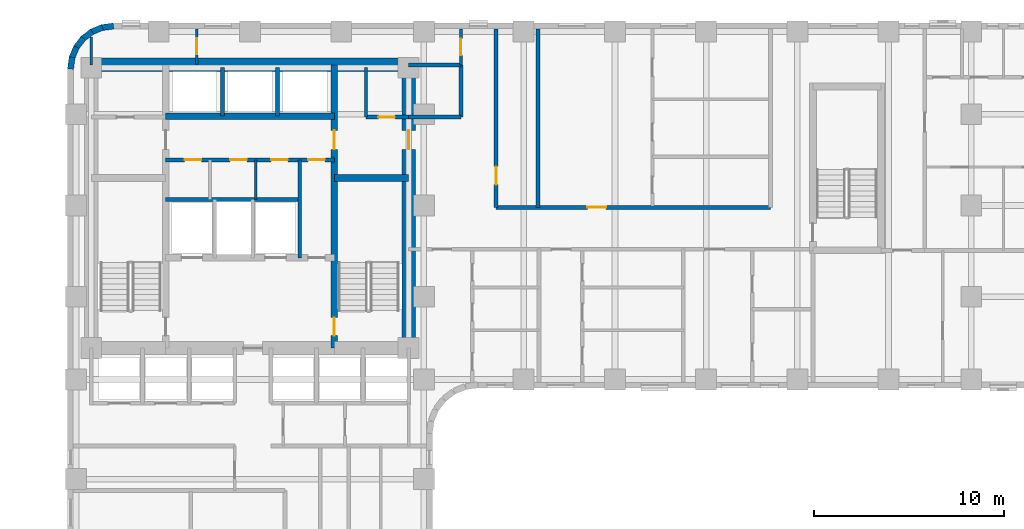
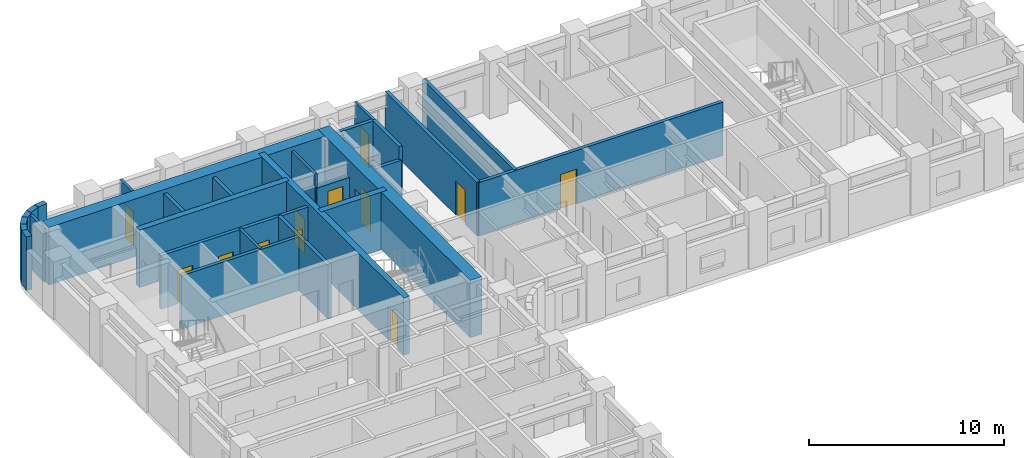
# One storey, part 6 of 11: 28 walls, 12 doors, 12 openings.
"""IFC4 building model written with IfcOpenShell, lengths in metres."""

from ifc_helpers import new_model, si_unit, direction, frame, frame_2d, origin, place, context, subcontext, project, spatial, rectangle, extrude, material, layer, layer_set, type_object, element, fill, save


model = new_model("IFC4")

# Units and contexts
model_context = context("Model", 3, precision=1e-05, world=origin(), true_north=direction((0.0, 1.0)))
body_context = subcontext(model_context, "Body", "Model", "MODEL_VIEW")
ifc_project = project(units=[si_unit("LENGTHUNIT", "METRE"), si_unit("AREAUNIT", "SQUARE_METRE"), si_unit("VOLUMEUNIT", "CUBIC_METRE"), si_unit("PLANEANGLEUNIT", "RADIAN"), si_unit("MASSUNIT", "GRAM", prefix="KILO")], contexts=[model_context])

# Site, building, storey
site_placement = place(None, origin())
site = spatial("IfcSite", under=ifc_project, at=site_placement, CompositionType="ELEMENT")
building_placement = place(site_placement, origin())
building = spatial("IfcBuilding", under=site, at=building_placement, Name="Orvandelia Arch Residences", CompositionType="ELEMENT")
storey_placement = place(building_placement, frame((0.0, 0.0, 50.199951171875)))
storey = spatial("IfcBuildingStorey", under=building, at=storey_placement, Name="L12", CompositionType="ELEMENT", Elevation=50.199951171875)

# Wall, openings, doors
ifc_material_1 = material(Name="Concrete C50/60", Category="concrete")
ifc_layer_1 = layer(ifc_material_1, 0.35009765625, Name="Concrete C50/60", Category="concrete")
ifc_layer_set_1 = layer_set([ifc_layer_1], Name="Concrete C50/60")
wall_type_1 = type_object("IfcWallType", Name="WL-CORE-350", PredefinedType="SHEAR", material=ifc_layer_set_1)
wall_1_placement = place(storey_placement, frame((18.840087890625, 30.89990234375, 0.0), z_axis=(0.0, 0.0, 1.0), x_axis=(0.0, 1.0, 0.0)))
wall_1 = element("IfcWall", 1, at=wall_1_placement, inside=storey, type_object=wall_type_1, Name="Core Shear Wall L12-WEB2", PredefinedType="SHEAR", context=body_context, shape_type="SweptSolid", body=[
    extrude(rectangle(XDim=14.900146484375, YDim=0.35009765625, at=frame_2d((7.4501953125, 0.0))), origin(), (0.0, 0.0, 1.0), 3.60009765625),
])
opening_1_placement = place(wall_1_placement, frame((0.64990234375, 0.0, 0.0)))
opening_1 = element("IfcOpeningElement", 2, at=opening_1_placement, cuts=wall_1, Name="Opening D7", PredefinedType="OPENING", context=body_context, shape_type="SweptSolid", body=[
    extrude(rectangle(XDim=0.949951171875, YDim=2.10009765625, at=frame_2d((0.47509765625, 1.050048828125))), frame((0.0, 0.18505859375, 0.0), z_axis=(0.0, -1.0, 0.0), x_axis=(1.0, 0.0, 0.0)), (0.0, 0.0, 1.0), 0.3701171875),
])
opening_2_placement = place(wall_1_placement, frame((10.449951171875, 0.0, 0.0)))
opening_2 = element("IfcOpeningElement", 3, at=opening_2_placement, cuts=wall_1, Name="Opening D6", PredefinedType="OPENING", context=body_context, shape_type="SweptSolid", body=[
    extrude(rectangle(XDim=1.0, YDim=2.14990234375, at=frame_2d((0.5, 1.074951171875))), frame((0.0, 0.18505859375, 0.0), z_axis=(0.0, -1.0, 0.0), x_axis=(1.0, 0.0, 0.0)), (0.0, 0.0, 1.0), 0.3701171875),
])
ifc_material_2 = material(Name="Smokeproof Painted Steel Fire Door", Category="steel")
door_type_1 = type_object("IfcDoorType", Name="DR-FD60-1000", OperationType="NOTDEFINED", PredefinedType="DOOR", material=ifc_material_2)
door_1_placement = place(opening_2_placement, origin())
door_1 = element("IfcDoor", 4, at=door_1_placement, inside=storey, type_object=door_type_1, Name="High-Rise Lift Hall East Vestibule Door L12", OperationType="SINGLE_SWING_RIGHT", OverallHeight=2.14990234375, OverallWidth=1.0, PredefinedType="DOOR", context=body_context, shape_type="SweptSolid", body=[
    extrude(rectangle(XDim=1.0, YDim=2.14990234375, at=frame_2d((0.5, 1.074951171875))), frame((0.0, 0.02490234375, 0.0), z_axis=(0.0, -1.0, 0.0), x_axis=(1.0, 0.0, 0.0)), (0.0, 0.0, 1.0), 0.050048828125),
])
fill(opening_2, door_1)
ifc_material_3 = material(Name="Pressurised Stairwell Fire Door")
door_type_2 = type_object("IfcDoorType", Name="DR-STAIR-950", OperationType="NOTDEFINED", PredefinedType="DOOR", material=ifc_material_3)
door_2_placement = place(opening_1_placement, origin())
door_2 = element("IfcDoor", 5, at=door_2_placement, inside=storey, type_object=door_type_2, Name="Stairwell ST-2 Fire Door L12", OperationType="SINGLE_SWING_RIGHT", OverallHeight=2.10009765625, OverallWidth=0.949951171875, PredefinedType="DOOR", context=body_context, shape_type="SweptSolid", body=[
    extrude(rectangle(XDim=0.949951171875, YDim=2.10009765625, at=frame_2d((0.47509765625, 1.050048828125))), frame((0.0, 0.02490234375, 0.0), z_axis=(0.0, -1.0, 0.0), x_axis=(1.0, 0.0, 0.0)), (0.0, 0.0, 1.0), 0.050048828125),
])
fill(opening_1, door_2)

# Walls
wall_2_placement = place(storey_placement, frame((18.840087890625, 39.85009765625, 0.0), z_axis=(0.0, 0.0, 1.0), x_axis=(1.0, 0.0, 0.0)))
element("IfcWall", 6, at=wall_2_placement, inside=storey, type_object=wall_type_1, Name="Core Shear Wall L12-HZ2", PredefinedType="SHEAR", context=body_context, shape_type="SweptSolid", body=[
    extrude(rectangle(XDim=3.909912109375, YDim=0.35009765625, at=frame_2d((1.955078125, 0.0))), origin(), (0.0, 0.0, 1.0), 3.60009765625),
])
wall_3_placement = place(storey_placement, frame((9.9599609375, 43.10009765625, 0.0), z_axis=(0.0, 0.0, 1.0), x_axis=(1.0, 0.0, 0.0)))
element("IfcWall", 7, at=wall_3_placement, inside=storey, type_object=wall_type_1, Name="Core Shear Wall L12-HZ4", PredefinedType="SHEAR", context=body_context, shape_type="SweptSolid", body=[
    extrude(rectangle(XDim=8.880126953125, YDim=0.35009765625, at=frame_2d((4.43994140625, 0.0))), origin(), (0.0, 0.0, 1.0), 3.60009765625),
])

# Wall, opening, door
ifc_material_4 = material(Name="Concrete C80/95", Category="concrete")
ifc_layer_2 = layer(ifc_material_4, 0.699951171875, Name="Concrete C80/95", Category="concrete")
ifc_layer_set_2 = layer_set([ifc_layer_2], Name="Concrete C80/95")
wall_type_2 = type_object("IfcWallType", Name="WL-CORE-700", PredefinedType="SHEAR", material=ifc_layer_set_2)
wall_4_placement = place(storey_placement, frame((22.75, 30.550048828125, 0.0), z_axis=(0.0, 0.0, 1.0), x_axis=(0.0, 1.0, 0.0)))
wall_4 = element("IfcWall", 8, at=wall_4_placement, inside=storey, type_object=wall_type_2, Name="Core Shear Wall L12-E", PredefinedType="SHEAR", context=body_context, shape_type="SweptSolid", body=[
    extrude(rectangle(XDim=15.599853515625, YDim=0.699951171875, at=frame_2d((7.7998046875, 0.0))), origin(), (0.0, 0.0, 1.0), 3.60009765625),
])
opening_3_placement = place(wall_4_placement, frame((10.800048828125, 0.0, 0.0)))
opening_3 = element("IfcOpeningElement", 9, at=opening_3_placement, cuts=wall_4, Name="Opening D6", PredefinedType="OPENING", context=body_context, shape_type="SweptSolid", body=[
    extrude(rectangle(XDim=1.0, YDim=2.14990234375, at=frame_2d((0.5, 1.074951171875))), frame((0.0, 0.35986328125, 0.0), z_axis=(0.0, -1.0, 0.0), x_axis=(1.0, 0.0, 0.0)), (0.0, 0.0, 1.0), 0.719970703125),
])
door_3_placement = place(opening_3_placement, origin())
door_3 = element("IfcDoor", 10, at=door_3_placement, inside=storey, type_object=door_type_1, Name="Core East Corridor Link Door L12", OperationType="SINGLE_SWING_LEFT", OverallHeight=2.14990234375, OverallWidth=1.0, PredefinedType="DOOR", context=body_context, shape_type="SweptSolid", body=[
    extrude(rectangle(XDim=1.0, YDim=2.14990234375, at=frame_2d((0.5, 1.074951171875))), frame((0.0, 0.02490234375, 0.0), z_axis=(0.0, -1.0, 0.0), x_axis=(1.0, 0.0, 0.0)), (0.0, 0.0, 1.0), 0.050048828125),
])
fill(opening_3, door_3)

# Walls
wall_5_placement = place(storey_placement, frame((6.050048828125, 45.800048828125, 0.0), z_axis=(0.0, 0.0, 1.0), x_axis=(1.0, 0.0, 0.0)))
element("IfcWall", 11, at=wall_5_placement, inside=storey, type_object=wall_type_2, Name="Core Shear Wall L12-N", PredefinedType="SHEAR", context=body_context, shape_type="SweptSolid", body=[
    extrude(rectangle(XDim=16.699951171875, YDim=0.699951171875, at=frame_2d((8.35009765625, 0.0))), origin(), (0.0, 0.0, 1.0), 3.60009765625),
])
ifc_material_5 = material(Name="Fire-Rated Corridor Partition")
ifc_layer_3 = layer(ifc_material_5, 0.199951171875, Name="Fire-Rated Corridor Partition")
ifc_layer_set_3 = layer_set([ifc_layer_3], Name="Fire-Rated Corridor Partition")
wall_type_3 = type_object("IfcWallType", Name="WL-CORR-200", PredefinedType="PARTITIONING", material=ifc_layer_set_3)
wall_6_placement = place(storey_placement, frame((22.75, 45.800048828125, 0.0), z_axis=(0.0, 0.0, 1.0), x_axis=(1.0, 0.0, 0.0)))
element("IfcWall", 12, at=wall_6_placement, inside=storey, type_object=wall_type_3, Name="Interior Partition Wall WL-L12-NCE-S", PredefinedType="PARTITIONING", context=body_context, shape_type="SweptSolid", body=[
    extrude(rectangle(XDim=2.75, YDim=0.199951171875, at=frame_2d((1.375, 0.0))), origin(), (0.0, 0.0, 1.0), 3.35009765625),
])

# Wall, opening, door
wall_7_placement = place(storey_placement, frame((27.35009765625, 38.300048828125, 0.0), z_axis=(0.0, 0.0, 1.0), x_axis=(1.0, 0.0, 0.0)))
wall_7 = element("IfcWall", 13, at=wall_7_placement, inside=storey, type_object=wall_type_3, Name="Interior Partition Wall WL-L12-EM-N", PredefinedType="PARTITIONING", context=body_context, shape_type="SweptSolid", body=[
    extrude(rectangle(XDim=14.429931640625, YDim=0.199951171875, at=frame_2d((7.21484375, 0.0))), origin(), (0.0, 0.0, 1.0), 3.35009765625),
])
opening_4_placement = place(wall_7_placement, frame((4.803466796875, 0.0, 0.0)))
opening_4 = element("IfcOpeningElement", 14, at=opening_4_placement, cuts=wall_7, Name="Opening D1", PredefinedType="OPENING", context=body_context, shape_type="SweptSolid", body=[
    extrude(rectangle(XDim=0.97998046875, YDim=2.179931640625, at=frame_2d((0.489990234375, 1.08984375))), frame((0.0, 0.10986328125, 0.0), z_axis=(0.0, -1.0, 0.0), x_axis=(1.0, 0.0, 0.0)), (0.0, 0.0, 1.0), 0.219970703125),
])
ifc_material_6 = material(Name="Solid-Core Timber Acoustic Fire Door", Category="wood")
door_type_3 = type_object("IfcDoorType", Name="DR-ENT-980", OperationType="NOTDEFINED", PredefinedType="DOOR", material=ifc_material_6)
door_4_placement = place(opening_4_placement, origin())
door_4 = element("IfcDoor", 15, at=door_4_placement, inside=storey, type_object=door_type_3, Name="Unit L12-09 Entrance Door", OperationType="SINGLE_SWING_LEFT", OverallHeight=2.179931640625, OverallWidth=0.97998046875, PredefinedType="DOOR", context=body_context, shape_type="SweptSolid", body=[
    extrude(rectangle(XDim=0.97998046875, YDim=2.179931640625, at=frame_2d((0.489990234375, 1.08984375))), frame((0.0, 0.02490234375, 0.0), z_axis=(0.0, -1.0, 0.0), x_axis=(1.0, 0.0, 0.0)), (0.0, 0.0, 1.0), 0.050048828125),
])
fill(opening_4, door_4)

wall_8_placement = place(storey_placement, frame((27.35009765625, 38.300048828125, 0.0), z_axis=(0.0, 0.0, 1.0), x_axis=(0.0, 1.0, 0.0)))
wall_8 = element("IfcWall", 16, at=wall_8_placement, inside=storey, type_object=wall_type_3, Name="Interior Partition Wall WL-L12-EM-NCE", PredefinedType="PARTITIONING", context=body_context, shape_type="SweptSolid", body=[
    extrude(rectangle(XDim=9.3798828125, YDim=0.199951171875, at=frame_2d((4.68994140625, 0.0))), origin(), (0.0, 0.0, 1.0), 3.35009765625),
])
opening_5_placement = place(wall_8_placement, frame((1.199951171875, 0.0, 0.0)))
opening_5 = element("IfcOpeningElement", 17, at=opening_5_placement, cuts=wall_8, Name="Opening D2", PredefinedType="OPENING", context=body_context, shape_type="SweptSolid", body=[
    extrude(rectangle(XDim=0.949951171875, YDim=2.14990234375, at=frame_2d((0.47509765625, 1.074951171875))), frame((0.0, 0.10986328125, 0.0), z_axis=(0.0, -1.0, 0.0), x_axis=(1.0, 0.0, 0.0)), (0.0, 0.0, 1.0), 0.219970703125),
])
ifc_material_7 = material(Name="Solid-Core Timber Interior Fire Door", Category="wood")
door_type_4 = type_object("IfcDoorType", Name="DR-APT-950", OperationType="NOTDEFINED", PredefinedType="DOOR", material=ifc_material_7)
door_5_placement = place(opening_5_placement, origin())
door_5 = element("IfcDoor", 18, at=door_5_placement, inside=storey, type_object=door_type_4, Name="DR-L12-LDY", OperationType="SINGLE_SWING_RIGHT", OverallHeight=2.14990234375, OverallWidth=0.949951171875, PredefinedType="DOOR", context=body_context, shape_type="SweptSolid", body=[
    extrude(rectangle(XDim=0.949951171875, YDim=2.14990234375, at=frame_2d((0.47509765625, 1.074951171875))), frame((0.0, 0.02490234375, 0.0), z_axis=(0.0, -1.0, 0.0), x_axis=(1.0, 0.0, 0.0)), (0.0, 0.0, 1.0), 0.050048828125),
])
fill(opening_5, door_5)

# Walls
wall_9_placement = place(storey_placement, frame((22.75, 43.050048828125, 0.0), z_axis=(0.0, 0.0, 1.0), x_axis=(1.0, 0.0, 0.0)))
element("IfcWall", 19, at=wall_9_placement, inside=storey, type_object=wall_type_3, Name="Interior Partition Wall WL-L12-EM-LS", PredefinedType="PARTITIONING", context=body_context, shape_type="SweptSolid", body=[
    extrude(rectangle(XDim=2.75, YDim=0.199951171875, at=frame_2d((1.375, 0.0))), origin(), (0.0, 0.0, 1.0), 2.530029296875),
])
wall_10_placement = place(storey_placement, frame((25.5, 43.050048828125, 0.0), z_axis=(0.0, 0.0, 1.0), x_axis=(0.0, 1.0, 0.0)))
element("IfcWall", 20, at=wall_10_placement, inside=storey, type_object=wall_type_3, Name="Interior Partition Wall WL-L12-EM-LW2", PredefinedType="PARTITIONING", context=body_context, shape_type="SweptSolid", body=[
    extrude(rectangle(XDim=2.75, YDim=0.199951171875, at=frame_2d((1.375, 0.0))), origin(), (0.0, 0.0, 1.0), 3.35009765625),
])
ifc_material_8 = material(Name="Concrete C40/50", Category="concrete")
ifc_layer_4 = layer(ifc_material_8, 0.199951171875, Name="Concrete C40/50", Category="concrete")
ifc_layer_set_4 = layer_set([ifc_layer_4], Name="Concrete C40/50")
wall_type_4 = type_object("IfcWallType", Name="WL-DEM-200", PredefinedType="SOLIDWALL", material=ifc_layer_set_4)
wall_11_placement = place(storey_placement, frame((29.550048828125, 38.300048828125, 0.0), z_axis=(0.0, 0.0, 1.0), x_axis=(0.0, 1.0, 0.0)))
element("IfcWall", 21, at=wall_11_placement, inside=storey, type_object=wall_type_4, Name="Interior Partition Wall WL-L12-EM-LDE", PredefinedType="SOLIDWALL", context=body_context, shape_type="SweptSolid", body=[
    extrude(rectangle(XDim=9.3798828125, YDim=0.199951171875, at=frame_2d((4.68994140625, 0.0))), origin(), (0.0, 0.0, 1.0), 3.35009765625),
])
ifc_material_9 = material(Name="Precast concrete C40/50", Category="concrete")
ifc_layer_5 = layer(ifc_material_9, 0.320068359375, Name="Precast concrete C40/50", Category="concrete")
ifc_layer_set_5 = layer_set([ifc_layer_5], Name="Precast concrete C40/50")
wall_type_5 = type_object("IfcWallType", Name="WL-EXT-STONE-320", PredefinedType="STANDARD", material=ifc_layer_set_5)
for number, where, z_axis, x_axis, name in (
    (22, (4.95849609375, 45.5791015625, 0.0), (0.0, 0.0, 1.0), (0.130555323746, 0.9914410257, 0.0), "Coral-Limestone Precast Facade Wall L12-001"),
    (23, (5.029541015625, 46.159912109375, 0.0), (0.0, 0.0, 1.0), (0.382650053678, 0.92389335771, 0.0), "Coral-Limestone Precast Facade Wall L12-002"),
):
    element("IfcWall", number, at=place(storey_placement, frame(where, z_axis=z_axis, x_axis=x_axis)), inside=storey, type_object=wall_type_5, Name=name, PredefinedType="STANDARD", context=body_context, shape_type="SweptSolid", body=[
        extrude(rectangle(XDim=0.62646484375, YDim=0.320068359375, at=frame_2d((0.313232421875, 0.0))), origin(), (0.0, 0.0, 1.0), 3.35009765625),
    ])
wall_12_placement = place(storey_placement, frame((5.248291015625, 46.70263671875, 0.0), z_axis=(0.0, 0.0, 1.0), x_axis=(0.608938521285, 0.7932174212, 0.0)))
element("IfcWall", 24, at=wall_12_placement, inside=storey, type_object=wall_type_5, Name="Coral-Limestone Precast Facade Wall L12-003", PredefinedType="STANDARD", context=body_context, shape_type="SweptSolid", body=[
    extrude(rectangle(XDim=0.626708984375, YDim=0.320068359375, at=frame_2d((0.3134765625, 0.0))), origin(), (0.0, 0.0, 1.0), 3.35009765625),
])
wall_13_placement = place(storey_placement, frame((5.600341796875, 47.170166015625, 0.0), z_axis=(0.0, 0.0, 1.0), x_axis=(0.793405610854, 0.608693302629, 0.0)))
element("IfcWall", 25, at=wall_13_placement, inside=storey, type_object=wall_type_5, Name="Coral-Limestone Precast Facade Wall L12-004", PredefinedType="STANDARD", context=body_context, shape_type="SweptSolid", body=[
    extrude(rectangle(XDim=0.62646484375, YDim=0.320068359375, at=frame_2d((0.313232421875, 0.0))), origin(), (0.0, 0.0, 1.0), 3.35009765625),
])
wall_14_placement = place(storey_placement, frame((6.061279296875, 47.53076171875, 0.0), z_axis=(0.0, 0.0, 1.0), x_axis=(0.923836271867, 0.382787856107, 0.0)))
element("IfcWall", 26, at=wall_14_placement, inside=storey, type_object=wall_type_5, Name="Coral-Limestone Precast Facade Wall L12-005", PredefinedType="STANDARD", context=body_context, shape_type="SweptSolid", body=[
    extrude(rectangle(XDim=0.626220703125, YDim=0.320068359375, at=frame_2d((0.31298828125, 0.0))), origin(), (0.0, 0.0, 1.0), 3.35009765625),
])
wall_15_placement = place(storey_placement, frame((6.599609375, 47.759521484375, 0.0), z_axis=(0.0, 0.0, 1.0), x_axis=(0.991447664465, 0.130504898859, 0.0)))
element("IfcWall", 27, at=wall_15_placement, inside=storey, type_object=wall_type_5, Name="Coral-Limestone Precast Facade Wall L12-006", PredefinedType="STANDARD", context=body_context, shape_type="SweptSolid", body=[
    extrude(rectangle(XDim=0.626708984375, YDim=0.320068359375, at=frame_2d((0.3134765625, 0.0))), origin(), (0.0, 0.0, 1.0), 3.35009765625),
])
ifc_material_10 = material(Name="Acoustic Gypsum Stud Partition")
ifc_layer_6 = layer(ifc_material_10, 0.14990234375, Name="Acoustic Gypsum Stud Partition")
ifc_layer_set_6 = layer_set([ifc_layer_6], Name="Acoustic Gypsum Stud Partition")
wall_type_6 = type_object("IfcWallType", Name="WL-PART-150", PredefinedType="PARTITIONING", material=ifc_layer_set_6)
wall_16_placement = place(storey_placement, frame((14.699951171875, 38.719970703125, 0.0), z_axis=(0.0, 0.0, 1.0), x_axis=(0.0, 1.0, 0.0)))
element("IfcWall", 28, at=wall_16_placement, inside=storey, type_object=wall_type_6, Name="Interior Partition Wall WL-L12-CSA-2", PredefinedType="PARTITIONING", context=body_context, shape_type="SweptSolid", body=[
    extrude(rectangle(XDim=2.080078125, YDim=0.14990234375, at=frame_2d((1.0400390625, 0.0))), origin(), (0.0, 0.0, 1.0), 3.35009765625),
])
wall_17_placement = place(storey_placement, frame((20.5, 43.050048828125, 0.0), z_axis=(0.0, 0.0, 1.0), x_axis=(0.0, 1.0, 0.0)))
element("IfcWall", 29, at=wall_17_placement, inside=storey, type_object=wall_type_6, Name="Interior Partition Wall WL-L12-CSB-2W", PredefinedType="PARTITIONING", context=body_context, shape_type="SweptSolid", body=[
    extrude(rectangle(XDim=2.599853515625, YDim=0.14990234375, at=frame_2d((1.2998046875, 0.0))), origin(), (0.0, 0.0, 1.0), 3.35009765625),
])

# Wall, opening, door
wall_18_placement = place(storey_placement, frame((25.5, 45.800048828125, 0.0), z_axis=(0.0, 0.0, 1.0), x_axis=(0.0, 1.0, 0.0)))
wall_18 = element("IfcWall", 30, at=wall_18_placement, inside=storey, type_object=wall_type_6, Name="Interior Partition Wall WL-L12-NCE-W", PredefinedType="PARTITIONING", context=body_context, shape_type="SweptSolid", body=[
    extrude(rectangle(XDim=1.8798828125, YDim=0.14990234375, at=frame_2d((0.93994140625, 0.0))), origin(), (0.0, 0.0, 1.0), 3.35009765625),
])
opening_6_placement = place(wall_18_placement, frame((0.5, 0.0, 0.0)))
opening_6 = element("IfcOpeningElement", 31, at=opening_6_placement, cuts=wall_18, Name="Opening D5", PredefinedType="OPENING", context=body_context, shape_type="SweptSolid", body=[
    extrude(rectangle(XDim=0.8798828125, YDim=2.10009765625, at=frame_2d((0.43994140625, 1.050048828125))), frame((0.0, 0.0849609375, 0.0), z_axis=(0.0, -1.0, 0.0), x_axis=(1.0, 0.0, 0.0)), (0.0, 0.0, 1.0), 0.169921875),
])
ifc_material_11 = material(Name="Painted Galvanised Steel Service Door", Category="steel")
door_type_5 = type_object("IfcDoorType", Name="DR-SRV-880", OperationType="NOTDEFINED", PredefinedType="DOOR", material=ifc_material_11)
door_6_placement = place(opening_6_placement, origin())
door_6 = element("IfcDoor", 32, at=door_6_placement, inside=storey, type_object=door_type_5, Name="DR-L12-NCS2", OperationType="SINGLE_SWING_LEFT", OverallHeight=2.10009765625, OverallWidth=0.8798828125, PredefinedType="DOOR", context=body_context, shape_type="SweptSolid", body=[
    extrude(rectangle(XDim=0.8798828125, YDim=2.10009765625, at=frame_2d((0.43994140625, 1.050048828125))), frame((0.0, 0.02490234375, 0.0), z_axis=(0.0, -1.0, 0.0), x_axis=(1.0, 0.0, 0.0)), (0.0, 0.0, 1.0), 0.050048828125),
])
fill(opening_6, door_6)

# Wall
wall_19_placement = place(storey_placement, frame((6.050048828125, 45.800048828125, 0.0), z_axis=(0.0, 0.0, 1.0), x_axis=(0.0, 1.0, 0.0)))
element("IfcWall", 33, at=wall_19_placement, inside=storey, type_object=wall_type_6, Name="Interior Partition Wall WL-L12-NC-W6", PredefinedType="PARTITIONING", context=body_context, shape_type="SweptSolid", body=[
    extrude(rectangle(XDim=1.4599609375, YDim=0.14990234375, at=frame_2d((0.72998046875, 0.0))), origin(), (0.0, 0.0, 1.0), 3.35009765625),
])

# Wall, opening, door
wall_20_placement = place(storey_placement, frame((11.60009765625, 45.800048828125, 0.0), z_axis=(0.0, 0.0, 1.0), x_axis=(0.0, 1.0, 0.0)))
wall_20 = element("IfcWall", 34, at=wall_20_placement, inside=storey, type_object=wall_type_6, Name="Interior Partition Wall WL-L12-NC-M", PredefinedType="PARTITIONING", context=body_context, shape_type="SweptSolid", body=[
    extrude(rectangle(XDim=1.8798828125, YDim=0.14990234375, at=frame_2d((0.93994140625, 0.0))), origin(), (0.0, 0.0, 1.0), 3.35009765625),
])
opening_7_placement = place(wall_20_placement, frame((0.550048828125, 0.0, 0.0)))
opening_7 = element("IfcOpeningElement", 35, at=opening_7_placement, cuts=wall_20, Name="Opening D4", PredefinedType="OPENING", context=body_context, shape_type="SweptSolid", body=[
    extrude(rectangle(XDim=0.860107421875, YDim=2.10009765625, at=frame_2d((0.43017578125, 1.050048828125))), frame((0.0, 0.0849609375, 0.0), z_axis=(0.0, -1.0, 0.0), x_axis=(1.0, 0.0, 0.0)), (0.0, 0.0, 1.0), 0.169921875),
])
ifc_material_12 = material(Name="Moisture-Sealed Timber Bathroom Door", Category="wood")
door_type_6 = type_object("IfcDoorType", Name="DR-WET-900", OperationType="NOTDEFINED", PredefinedType="DOOR", material=ifc_material_12)
door_7_placement = place(opening_7_placement, origin())
door_7 = element("IfcDoor", 36, at=door_7_placement, inside=storey, type_object=door_type_6, Name="DR-L12-NCS1", OperationType="SINGLE_SWING_LEFT", OverallHeight=2.10009765625, OverallWidth=0.860107421875, PredefinedType="DOOR", context=body_context, shape_type="SweptSolid", body=[
    extrude(rectangle(XDim=0.860107421875, YDim=2.10009765625, at=frame_2d((0.43017578125, 1.050048828125))), frame((0.0, 0.02490234375, 0.0), z_axis=(0.0, -1.0, 0.0), x_axis=(1.0, 0.0, 0.0)), (0.0, 0.0, 1.0), 0.050048828125),
])
fill(opening_7, door_7)

# Walls
ifc_material_13 = material(Name="Fire-Rated Shaft Enclosure Wall")
ifc_layer_7 = layer(ifc_material_13, 0.199951171875, Name="Fire-Rated Shaft Enclosure Wall")
ifc_layer_set_7 = layer_set([ifc_layer_7], Name="Fire-Rated Shaft Enclosure Wall")
wall_type_7 = type_object("IfcWallType", Name="WL-SHAFT-200", PredefinedType="POLYGONAL", material=ifc_layer_set_7)
wall_21_placement = place(storey_placement, frame((9.9599609375, 38.719970703125, 0.0), z_axis=(0.0, 0.0, 1.0), x_axis=(1.0, 0.0, 0.0)))
element("IfcWall", 37, at=wall_21_placement, inside=storey, type_object=wall_type_7, Name="Interior Partition Wall WL-L12-FLN", PredefinedType="POLYGONAL", context=body_context, shape_type="SweptSolid", body=[
    extrude(rectangle(XDim=7.06005859375, YDim=0.199951171875, at=frame_2d((3.530029296875, 0.0))), origin(), (0.0, 0.0, 1.0), 3.35009765625),
])
wall_22_placement = place(storey_placement, frame((17.02001953125, 35.64990234375, 0.0), z_axis=(0.0, 0.0, 1.0), x_axis=(0.0, 1.0, 0.0)))
element("IfcWall", 38, at=wall_22_placement, inside=storey, type_object=wall_type_7, Name="Interior Partition Wall WL-L12-FLM3", PredefinedType="POLYGONAL", context=body_context, shape_type="SweptSolid", body=[
    extrude(rectangle(XDim=5.150146484375, YDim=0.199951171875, at=frame_2d((2.5751953125, 0.0))), origin(), (0.0, 0.0, 1.0), 3.35009765625),
])

# Wall, openings, doors
wall_23_placement = place(storey_placement, frame((9.9599609375, 40.800048828125, 0.0), z_axis=(0.0, 0.0, 1.0), x_axis=(1.0, 0.0, 0.0)))
wall_23 = element("IfcWall", 39, at=wall_23_placement, inside=storey, type_object=wall_type_7, Name="Interior Partition Wall WL-L12-HLH-S", PredefinedType="POLYGONAL", context=body_context, shape_type="SweptSolid", body=[
    extrude(rectangle(XDim=8.880126953125, YDim=0.199951171875, at=frame_2d((4.43994140625, 0.0))), origin(), (0.0, 0.0, 1.0), 3.35009765625),
])
opening_8_placement = place(wall_23_placement, frame((7.5, 0.0, 0.0)))
opening_8 = element("IfcOpeningElement", 40, at=opening_8_placement, cuts=wall_23, Name="Opening D5", PredefinedType="OPENING", context=body_context, shape_type="SweptSolid", body=[
    extrude(rectangle(XDim=0.8798828125, YDim=2.10009765625, at=frame_2d((0.43994140625, 1.050048828125))), frame((0.0, 0.10986328125, 0.0), z_axis=(0.0, -1.0, 0.0), x_axis=(1.0, 0.0, 0.0)), (0.0, 0.0, 1.0), 0.219970703125),
])
opening_9_placement = place(wall_23_placement, frame((1.0, 0.0, 0.0)))
opening_9 = element("IfcOpeningElement", 41, at=opening_9_placement, cuts=wall_23, Name="Opening D5", PredefinedType="OPENING", context=body_context, shape_type="SweptSolid", body=[
    extrude(rectangle(XDim=0.8798828125, YDim=2.10009765625, at=frame_2d((0.43994140625, 1.050048828125))), frame((0.0, 0.10986328125, 0.0), z_axis=(0.0, -1.0, 0.0), x_axis=(1.0, 0.0, 0.0)), (0.0, 0.0, 1.0), 0.219970703125),
])
opening_10_placement = place(wall_23_placement, frame((3.39990234375, 0.0, 0.0)))
opening_10 = element("IfcOpeningElement", 42, at=opening_10_placement, cuts=wall_23, Name="Opening D5", PredefinedType="OPENING", context=body_context, shape_type="SweptSolid", body=[
    extrude(rectangle(XDim=0.8798828125, YDim=2.10009765625, at=frame_2d((0.43994140625, 1.050048828125))), frame((0.0, 0.10986328125, 0.0), z_axis=(0.0, -1.0, 0.0), x_axis=(1.0, 0.0, 0.0)), (0.0, 0.0, 1.0), 0.219970703125),
])
opening_11_placement = place(wall_23_placement, frame((5.550048828125, 0.0, 0.0)))
opening_11 = element("IfcOpeningElement", 43, at=opening_11_placement, cuts=wall_23, Name="Opening D5", PredefinedType="OPENING", context=body_context, shape_type="SweptSolid", body=[
    extrude(rectangle(XDim=0.8798828125, YDim=2.10009765625, at=frame_2d((0.43994140625, 1.050048828125))), frame((0.0, 0.10986328125, 0.0), z_axis=(0.0, -1.0, 0.0), x_axis=(1.0, 0.0, 0.0)), (0.0, 0.0, 1.0), 0.219970703125),
])
door_8_placement = place(opening_8_placement, origin())
door_8 = element("IfcDoor", 44, at=door_8_placement, inside=storey, type_object=door_type_5, Name="Core Stairway Passage North Fire Door L12", OperationType="SINGLE_SWING_RIGHT", OverallHeight=2.10009765625, OverallWidth=0.8798828125, PredefinedType="DOOR", context=body_context, shape_type="SweptSolid", body=[
    extrude(rectangle(XDim=0.8798828125, YDim=2.10009765625, at=frame_2d((0.43994140625, 1.050048828125))), frame((0.0, 0.02490234375, 0.0), z_axis=(0.0, -1.0, 0.0), x_axis=(1.0, 0.0, 0.0)), (0.0, 0.0, 1.0), 0.050048828125),
])
fill(opening_8, door_8)
door_9_placement = place(opening_9_placement, origin())
door_9 = element("IfcDoor", 45, at=door_9_placement, inside=storey, type_object=door_type_5, Name="DR-L12-CSA1", OperationType="SINGLE_SWING_LEFT", OverallHeight=2.10009765625, OverallWidth=0.8798828125, PredefinedType="DOOR", context=body_context, shape_type="SweptSolid", body=[
    extrude(rectangle(XDim=0.8798828125, YDim=2.10009765625, at=frame_2d((0.43994140625, 1.050048828125))), frame((0.0, 0.02490234375, 0.0), z_axis=(0.0, -1.0, 0.0), x_axis=(1.0, 0.0, 0.0)), (0.0, 0.0, 1.0), 0.050048828125),
])
fill(opening_9, door_9)
door_10_placement = place(opening_10_placement, origin())
door_10 = element("IfcDoor", 46, at=door_10_placement, inside=storey, type_object=door_type_5, Name="DR-L12-CSA2", OperationType="SINGLE_SWING_RIGHT", OverallHeight=2.10009765625, OverallWidth=0.8798828125, PredefinedType="DOOR", context=body_context, shape_type="SweptSolid", body=[
    extrude(rectangle(XDim=0.8798828125, YDim=2.10009765625, at=frame_2d((0.43994140625, 1.050048828125))), frame((0.0, 0.02490234375, 0.0), z_axis=(0.0, -1.0, 0.0), x_axis=(1.0, 0.0, 0.0)), (0.0, 0.0, 1.0), 0.050048828125),
])
fill(opening_10, door_10)
door_11_placement = place(opening_11_placement, origin())
door_11 = element("IfcDoor", 47, at=door_11_placement, inside=storey, type_object=door_type_5, Name="DR-L12-CSA3", OperationType="SINGLE_SWING_LEFT", OverallHeight=2.10009765625, OverallWidth=0.8798828125, PredefinedType="DOOR", context=body_context, shape_type="SweptSolid", body=[
    extrude(rectangle(XDim=0.8798828125, YDim=2.10009765625, at=frame_2d((0.43994140625, 1.050048828125))), frame((0.0, 0.02490234375, 0.0), z_axis=(0.0, -1.0, 0.0), x_axis=(1.0, 0.0, 0.0)), (0.0, 0.0, 1.0), 0.050048828125),
])
fill(opening_11, door_11)

# Wall, opening, door
wall_24_placement = place(storey_placement, frame((20.5, 43.050048828125, 0.0), z_axis=(0.0, 0.0, 1.0), x_axis=(1.0, 0.0, 0.0)))
wall_24 = element("IfcWall", 48, at=wall_24_placement, inside=storey, type_object=wall_type_7, Name="Interior Partition Wall WL-L12-HLE-N", PredefinedType="POLYGONAL", context=body_context, shape_type="SweptSolid", body=[
    extrude(rectangle(XDim=2.25, YDim=0.199951171875, at=frame_2d((1.125, 0.0))), origin(), (0.0, 0.0, 1.0), 2.530029296875),
])
opening_12_placement = place(wall_24_placement, frame((0.64990234375, 0.0, 0.0)))
opening_12 = element("IfcOpeningElement", 49, at=opening_12_placement, cuts=wall_24, Name="Opening D5", PredefinedType="OPENING", context=body_context, shape_type="SweptSolid", body=[
    extrude(rectangle(XDim=0.8798828125, YDim=2.10009765625, at=frame_2d((0.43994140625, 1.050048828125))), frame((0.0, 0.10986328125, 0.0), z_axis=(0.0, -1.0, 0.0), x_axis=(1.0, 0.0, 0.0)), (0.0, 0.0, 1.0), 0.219970703125),
])
door_12_placement = place(opening_12_placement, origin())
door_12 = element("IfcDoor", 50, at=door_12_placement, inside=storey, type_object=door_type_5, Name="DR-L12-CSB1", OperationType="SINGLE_SWING_RIGHT", OverallHeight=2.10009765625, OverallWidth=0.8798828125, PredefinedType="DOOR", context=body_context, shape_type="SweptSolid", body=[
    extrude(rectangle(XDim=0.8798828125, YDim=2.10009765625, at=frame_2d((0.43994140625, 1.050048828125))), frame((0.0, 0.02490234375, 0.0), z_axis=(0.0, -1.0, 0.0), x_axis=(1.0, 0.0, 0.0)), (0.0, 0.0, 1.0), 0.050048828125),
])
fill(opening_12, door_12)

# Walls
for number, where, z_axis, x_axis, name in (
    (51, (12.949951171875, 43.10009765625, 0.0), (0.0, 0.0, 1.0), (0.0, 1.0, 0.0), "Interior Partition Wall WL-L12-PHD1"),
    (52, (15.85009765625, 43.10009765625, 0.0), (0.0, 0.0, 1.0), (0.0, 1.0, 0.0), "Interior Partition Wall WL-L12-PHD2"),
):
    element("IfcWall", number, at=place(storey_placement, frame(where, z_axis=z_axis, x_axis=x_axis)), inside=storey, type_object=wall_type_7, Name=name, PredefinedType="POLYGONAL", context=body_context, shape_type="SweptSolid", body=[
        extrude(rectangle(XDim=2.5498046875, YDim=0.199951171875, at=frame_2d((1.27490234375, 0.0))), origin(), (0.0, 0.0, 1.0), 3.35009765625),
    ])

save(model, "model.ifc")
